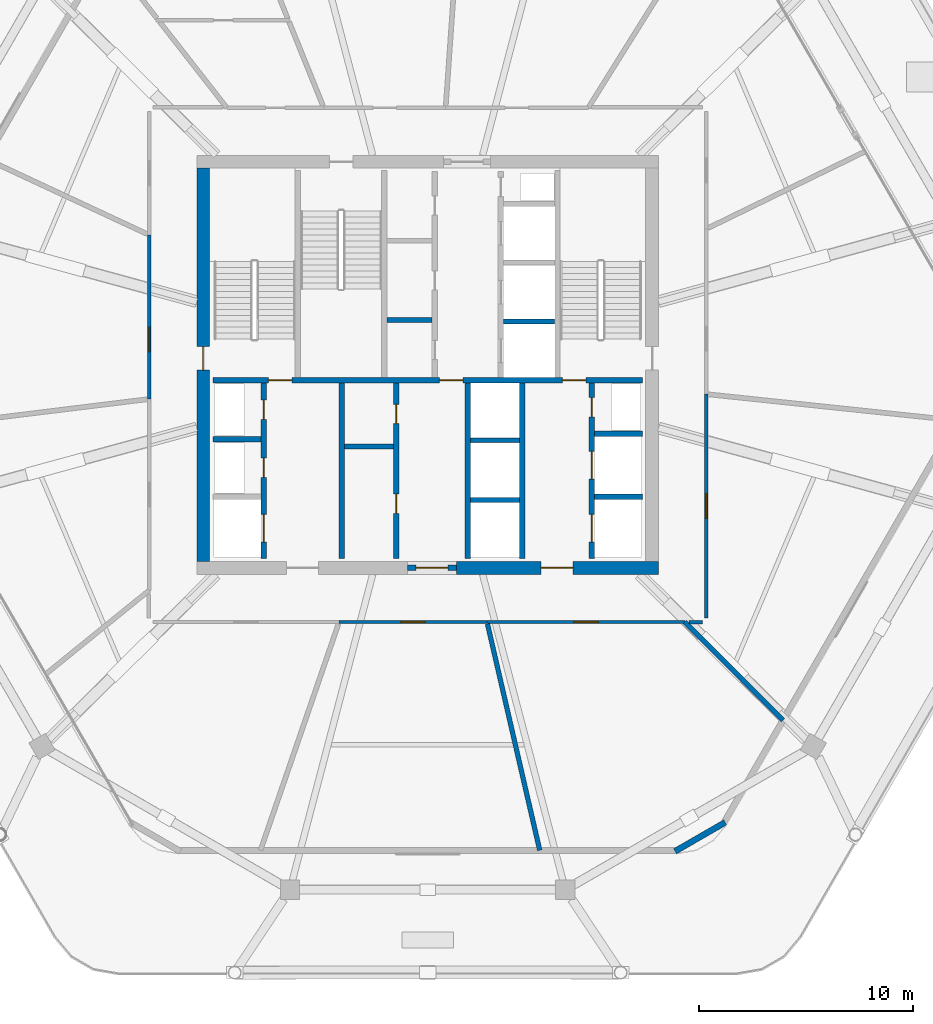
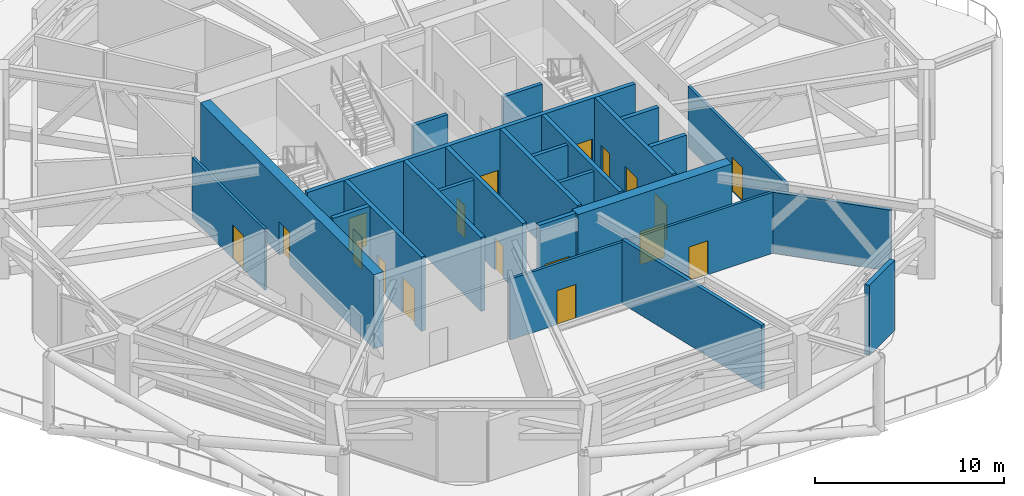
# One storey, part 13 of 20: 26 walls, 18 doors, 18 openings.
"""IFC4 building model written with IfcOpenShell, lengths in metres."""

from ifc_helpers import new_model, si_unit, direction, frame, frame_2d, origin, place, context, subcontext, project, spatial, rectangle, extrude, material, layer, layer_set, type_object, element, fill, save


model = new_model("IFC4")

# Units and contexts
model_context = context("Model", 3, precision=1e-05, world=origin(), true_north=direction((0.0, 1.0)))
body_context = subcontext(model_context, "Body", "Model", "MODEL_VIEW")
ifc_project = project(units=[si_unit("LENGTHUNIT", "METRE"), si_unit("AREAUNIT", "SQUARE_METRE"), si_unit("VOLUMEUNIT", "CUBIC_METRE"), si_unit("PLANEANGLEUNIT", "RADIAN"), si_unit("MASSUNIT", "GRAM", prefix="KILO")], contexts=[model_context])

# Site, building, storey
site_placement = place(None, origin())
site = spatial("IfcSite", under=ifc_project, at=site_placement, CompositionType="ELEMENT")
building_placement = place(site_placement, origin())
building = spatial("IfcBuilding", under=site, at=building_placement, Name="Zuhravey Tower", CompositionType="ELEMENT")
storey_placement = place(building_placement, frame((0.0, 0.0, 226.39990234375)))
storey = spatial("IfcBuildingStorey", under=building, at=storey_placement, Name="L57", CompositionType="ELEMENT", Elevation=226.39990234375)

# Wall, opening, door
ifc_material_1 = material(Name="Concrete C50/60", Category="concrete")
ifc_layer_1 = layer(ifc_material_1, 0.60009765625)
ifc_layer_set_1 = layer_set([ifc_layer_1], Name="Concrete C50/60")
wall_type_1 = type_object("IfcWallType", Name="Core Shear Wall 600", PredefinedType="SHEAR", material=ifc_layer_set_1)
wall_1_placement = place(storey_placement, frame((37.35009765625, 22.5, 0.0), z_axis=(0.0, 0.0, 1.0), x_axis=(1.0, 0.0, 0.0)))
wall_1 = element("IfcWall", 1, at=wall_1_placement, inside=storey, type_object=wall_type_1, Name="L57 South-East Core Shear Wall CW60", PredefinedType="SHEAR", context=body_context, shape_type="SweptSolid", body=[
    extrude(rectangle(XDim=9.449951171875, YDim=0.60009765625, at=frame_2d((4.72509765625, 0.0))), origin(), (0.0, 0.0, 1.0), 4.800048828125),
])
opening_1_placement = place(wall_1_placement, frame((3.949951171875, 0.0, 0.0)))
opening_1 = element("IfcOpeningElement", 2, at=opening_1_placement, cuts=wall_1, Name="Opening FFD1", PredefinedType="OPENING", context=body_context, shape_type="SweptSolid", body=[
    extrude(rectangle(XDim=1.5, YDim=2.14990234375, at=frame_2d((0.75, 1.074951171875))), frame((0.0, 0.31201171875, 0.0), z_axis=(0.0, -1.0, 0.0), x_axis=(1.0, 0.0, 0.0)), (0.0, 0.0, 1.0), 0.6240234375),
])
ifc_material_2 = material(Name="Galvanised fire-rated steel leaf", Category="steel")
door_type_1 = type_object("IfcDoorType", Name="Firefighting Lobby Double Door 1500x2150", OperationType="DOUBLE_DOOR_SINGLE_SWING", PredefinedType="DOOR", material=ifc_material_2)
door_1_placement = place(opening_1_placement, origin())
door_1 = element("IfcDoor", 3, at=door_1_placement, inside=storey, type_object=door_type_1, Name="L57 Firefighting Lobby East Door", OperationType="DOUBLE_DOOR_SINGLE_SWING", OverallHeight=2.14990234375, OverallWidth=1.5, PredefinedType="DOOR", context=body_context, shape_type="SweptSolid", body=[
    extrude(rectangle(XDim=1.5, YDim=2.14990234375, at=frame_2d((0.75, 1.074951171875))), frame((0.0, 0.02490234375, 0.0), z_axis=(0.0, -1.0, 0.0), x_axis=(1.0, 0.0, 0.0)), (0.0, 0.0, 1.0), 0.050048828125),
])
fill(opening_1, door_1)

wall_2_placement = place(storey_placement, frame((25.5, 22.800048828125, 0.0), z_axis=(0.0, 0.0, 1.0), x_axis=(0.0, 1.0, 0.0)))
wall_2 = element("IfcWall", 4, at=wall_2_placement, inside=storey, type_object=wall_type_1, Name="L57 West Core Shear Wall CW60", PredefinedType="SHEAR", context=body_context, shape_type="SweptSolid", body=[
    extrude(rectangle(XDim=18.39990234375, YDim=0.60009765625, at=frame_2d((9.199951171875, 0.0))), origin(), (0.0, 0.0, 1.0), 4.800048828125),
])
opening_2_placement = place(wall_2_placement, frame((8.949951171875, 0.0, 0.0)))
opening_2 = element("IfcOpeningElement", 5, at=opening_2_placement, cuts=wall_2, Name="Opening STD1", PredefinedType="OPENING", context=body_context, shape_type="SweptSolid", body=[
    extrude(rectangle(XDim=1.10009765625, YDim=2.14990234375, at=frame_2d((0.550048828125, 1.074951171875))), frame((0.0, 0.31201171875, 0.0), z_axis=(0.0, -1.0, 0.0), x_axis=(1.0, 0.0, 0.0)), (0.0, 0.0, 1.0), 0.6240234375),
])
door_type_2 = type_object("IfcDoorType", Name="Protected Stair Fire Door 1100x2150", OperationType="NOTDEFINED", PredefinedType="USERDEFINED", material=ifc_material_2)
door_2_placement = place(opening_2_placement, frame((1.10009765625, 0.0, 0.0), z_axis=(0.0, 0.0, 1.0), x_axis=(-1.0, 0.0, 0.0)))
door_2 = element("IfcDoor", 6, at=door_2_placement, inside=storey, type_object=door_type_2, Name="L57 Stair ST1 Door", ObjectType="EXITDOOR", OperationType="SINGLE_SWING_LEFT", OverallHeight=2.14990234375, OverallWidth=1.10009765625, PredefinedType="USERDEFINED", context=body_context, shape_type="SweptSolid", body=[
    extrude(rectangle(XDim=1.10009765625, YDim=2.14990234375, at=frame_2d((0.550048828125, 1.074951171875))), frame((0.0, 0.02490234375, 0.0), z_axis=(0.0, -1.0, 0.0), x_axis=(1.0, 0.0, 0.0)), (0.0, 0.0, 1.0), 0.050048828125),
])
fill(opening_2, door_2)

ifc_material_3 = material(Name="Gypsum fire-rated stud partition")
ifc_layer_2 = layer(ifc_material_3, 0.159912109375)
ifc_layer_set_2 = layer_set([ifc_layer_2], Name="Gypsum fire-rated stud partition")
wall_type_2 = type_object("IfcWallType", Name="Corridor Fire Partition 160", PredefinedType="PARTITIONING", material=ifc_layer_set_2)
wall_3_placement = place(storey_placement, frame((22.969970703125, 38.075927734375, 0.0), z_axis=(0.0, 0.0, 1.0), x_axis=(0.0, -1.0, 0.0)))
wall_3 = element("IfcWall", 7, at=wall_3_placement, inside=storey, type_object=wall_type_2, Name="L57 IW16 Partition 024", PredefinedType="PARTITIONING", context=body_context, shape_type="SweptSolid", body=[
    extrude(rectangle(XDim=7.67578125, YDim=0.159912109375, at=frame_2d((3.837890625, 0.0))), origin(), (0.0, 0.0, 1.0), 3.9501953125),
])
opening_3_placement = place(wall_3_placement, frame((4.306640625, 0.0, 0.0)))
opening_3 = element("IfcOpeningElement", 8, at=opening_3_placement, cuts=wall_3, Name="Opening CLD1", PredefinedType="OPENING", context=body_context, shape_type="SweptSolid", body=[
    extrude(rectangle(XDim=1.14990234375, YDim=2.199951171875, at=frame_2d((0.574951171875, 1.10009765625))), frame((0.0, 0.092041015625, 0.0), z_axis=(0.0, -1.0, 0.0), x_axis=(1.0, 0.0, 0.0)), (0.0, 0.0, 1.0), 0.183837890625),
])
ifc_material_4 = material(Name="Acoustic timber leaf with vision lite", Category="wood")
door_type_3 = type_object("IfcDoorType", Name="Classroom Acoustic Door 1150x2200", OperationType="NOTDEFINED", PredefinedType="DOOR", material=ifc_material_4)
door_3_placement = place(opening_3_placement, frame((1.14990234375, 0.0, 0.0), z_axis=(0.0, 0.0, 1.0), x_axis=(-1.0, 0.0, 0.0)))
door_3 = element("IfcDoor", 9, at=door_3_placement, inside=storey, type_object=door_type_3, Name="L57 Door 024.1", OperationType="SINGLE_SWING_LEFT", OverallHeight=2.199951171875, OverallWidth=1.14990234375, PredefinedType="DOOR", context=body_context, shape_type="SweptSolid", body=[
    extrude(rectangle(XDim=1.14990234375, YDim=2.199951171875, at=frame_2d((0.574951171875, 1.10009765625))), frame((0.0, 0.02490234375, 0.0), z_axis=(0.0, -1.0, 0.0), x_axis=(1.0, 0.0, 0.0)), (0.0, 0.0, 1.0), 0.050048828125),
])
fill(opening_3, door_3)

wall_4_placement = place(storey_placement, frame((31.857666015625, 19.969970703125, 0.0), z_axis=(0.0, 0.0, 1.0), x_axis=(1.0, 0.0, 0.0)))
wall_4 = element("IfcWall", 10, at=wall_4_placement, inside=storey, type_object=wall_type_2, Name="L57 IW16 Partition 027", PredefinedType="PARTITIONING", context=body_context, shape_type="SweptSolid", body=[
    extrude(rectangle(XDim=6.919677734375, YDim=0.159912109375, at=frame_2d((3.4599609375, 0.0))), origin(), (0.0, 0.0, 1.0), 3.9501953125),
])
opening_4_placement = place(wall_4_placement, frame((2.884765625, 0.0, 0.0)))
opening_4 = element("IfcOpeningElement", 11, at=opening_4_placement, cuts=wall_4, Name="Opening CLD1", PredefinedType="OPENING", context=body_context, shape_type="SweptSolid", body=[
    extrude(rectangle(XDim=1.14990234375, YDim=2.199951171875, at=frame_2d((0.574951171875, 1.10009765625))), frame((0.0, 0.092041015625, 0.0), z_axis=(0.0, -1.0, 0.0), x_axis=(1.0, 0.0, 0.0)), (0.0, 0.0, 1.0), 0.183837890625),
])
door_4_placement = place(opening_4_placement, frame((1.14990234375, 0.0, 0.0), z_axis=(0.0, 0.0, 1.0), x_axis=(-1.0, 0.0, 0.0)))
door_4 = element("IfcDoor", 12, at=door_4_placement, inside=storey, type_object=door_type_3, Name="L57 Door 027.1", OperationType="SINGLE_SWING_RIGHT", OverallHeight=2.199951171875, OverallWidth=1.14990234375, PredefinedType="DOOR", context=body_context, shape_type="SweptSolid", body=[
    extrude(rectangle(XDim=1.14990234375, YDim=2.199951171875, at=frame_2d((0.574951171875, 1.10009765625))), frame((0.0, 0.02490234375, 0.0), z_axis=(0.0, -1.0, 0.0), x_axis=(1.0, 0.0, 0.0)), (0.0, 0.0, 1.0), 0.050048828125),
])
fill(opening_4, door_4)

wall_5_placement = place(storey_placement, frame((38.77734375, 19.969970703125, 0.0), z_axis=(0.0, 0.0, 1.0), x_axis=(1.0, 0.0, 0.0)))
wall_5 = element("IfcWall", 13, at=wall_5_placement, inside=storey, type_object=wall_type_2, Name="L57 IW16 Partition 028", PredefinedType="PARTITIONING", context=body_context, shape_type="SweptSolid", body=[
    extrude(rectangle(XDim=9.252685546875, YDim=0.159912109375, at=frame_2d((4.62646484375, 0.0))), origin(), (0.0, 0.0, 1.0), 3.9501953125),
])
opening_5_placement = place(wall_5_placement, frame((4.051513671875, 0.0, 0.0)))
opening_5 = element("IfcOpeningElement", 14, at=opening_5_placement, cuts=wall_5, Name="Opening CLD1", PredefinedType="OPENING", context=body_context, shape_type="SweptSolid", body=[
    extrude(rectangle(XDim=1.14990234375, YDim=2.199951171875, at=frame_2d((0.574951171875, 1.10009765625))), frame((0.0, 0.092041015625, 0.0), z_axis=(0.0, -1.0, 0.0), x_axis=(1.0, 0.0, 0.0)), (0.0, 0.0, 1.0), 0.183837890625),
])
door_5_placement = place(opening_5_placement, frame((1.14990234375, 0.0, 0.0), z_axis=(0.0, 0.0, 1.0), x_axis=(-1.0, 0.0, 0.0)))
door_5 = element("IfcDoor", 15, at=door_5_placement, inside=storey, type_object=door_type_3, Name="L57 Door 028.1", OperationType="SINGLE_SWING_LEFT", OverallHeight=2.199951171875, OverallWidth=1.14990234375, PredefinedType="DOOR", context=body_context, shape_type="SweptSolid", body=[
    extrude(rectangle(XDim=1.14990234375, YDim=2.199951171875, at=frame_2d((0.574951171875, 1.10009765625))), frame((0.0, 0.02490234375, 0.0), z_axis=(0.0, -1.0, 0.0), x_axis=(1.0, 0.0, 0.0)), (0.0, 0.0, 1.0), 0.050048828125),
])
fill(opening_5, door_5)

wall_6_placement = place(storey_placement, frame((49.030029296875, 20.14990234375, 0.0), z_axis=(0.0, 0.0, 1.0), x_axis=(0.0, 1.0, 0.0)))
wall_6 = element("IfcWall", 16, at=wall_6_placement, inside=storey, type_object=wall_type_2, Name="L57 IW16 Partition 029", PredefinedType="PARTITIONING", context=body_context, shape_type="SweptSolid", body=[
    extrude(rectangle(XDim=10.480712890625, YDim=0.159912109375, at=frame_2d((5.240234375, 0.0))), origin(), (0.0, 0.0, 1.0), 3.9501953125),
])
opening_6_placement = place(wall_6_placement, frame((4.665283203125, 0.0, 0.0)))
opening_6 = element("IfcOpeningElement", 17, at=opening_6_placement, cuts=wall_6, Name="Opening CLD1", PredefinedType="OPENING", context=body_context, shape_type="SweptSolid", body=[
    extrude(rectangle(XDim=1.14990234375, YDim=2.199951171875, at=frame_2d((0.574951171875, 1.10009765625))), frame((0.0, 0.092041015625, 0.0), z_axis=(0.0, -1.0, 0.0), x_axis=(1.0, 0.0, 0.0)), (0.0, 0.0, 1.0), 0.183837890625),
])
door_6_placement = place(opening_6_placement, frame((1.14990234375, 0.0, 0.0), z_axis=(0.0, 0.0, 1.0), x_axis=(-1.0, 0.0, 0.0)))
door_6 = element("IfcDoor", 18, at=door_6_placement, inside=storey, type_object=door_type_3, Name="L57 Door 029.1", OperationType="SINGLE_SWING_RIGHT", OverallHeight=2.199951171875, OverallWidth=1.14990234375, PredefinedType="DOOR", context=body_context, shape_type="SweptSolid", body=[
    extrude(rectangle(XDim=1.14990234375, YDim=2.199951171875, at=frame_2d((0.574951171875, 1.10009765625))), frame((0.0, 0.02490234375, 0.0), z_axis=(0.0, -1.0, 0.0), x_axis=(1.0, 0.0, 0.0)), (0.0, 0.0, 1.0), 0.050048828125),
])
fill(opening_6, door_6)

# Walls
wall_7_placement = place(storey_placement, frame((48.216796875, 19.949951171875, 0.0), z_axis=(0.0, 0.0, 1.0), x_axis=(1.0, 0.0, 0.0)))
element("IfcWall", 19, at=wall_7_placement, inside=storey, type_object=wall_type_2, Name="L57 IW16 Partition 056", PredefinedType="PARTITIONING", context=body_context, shape_type="SweptSolid", body=[
    extrude(rectangle(XDim=0.63330078125, YDim=0.159912109375, at=frame_2d((0.316650390625, 0.0))), origin(), (0.0, 0.0, 1.0), 3.9501953125),
])
ifc_material_5 = material(Name="Precast concrete C40/50", Category="concrete")
ifc_layer_3 = layer(ifc_material_5, 0.280029296875)
ifc_layer_set_3 = layer_set([ifc_layer_3], Name="Precast concrete C40/50")
wall_type_3 = type_object("IfcWallType", Name="Crown Architectural Wall 280", PredefinedType="SOLIDWALL", material=ifc_layer_set_3)
wall_8_placement = place(storey_placement, frame((49.9248046875, 10.596435546875, 0.0), z_axis=(0.0, 0.0, 1.0), x_axis=(-0.866043331744, -0.499968946578, 0.0)))
element("IfcWall", 20, at=wall_8_placement, inside=storey, type_object=wall_type_3, Name="L57 Rounded Corner Closure Wall EW28-02", PredefinedType="SOLIDWALL", context=body_context, shape_type="SweptSolid", body=[
    extrude(rectangle(XDim=2.715087890625, YDim=0.280029296875, at=frame_2d((1.357421875, 0.0))), origin(), (0.0, 0.0, 1.0), 4.550048828125),
])

# Wall, opening, door
ifc_layer_4 = layer(ifc_material_1, 0.25)
ifc_layer_set_4 = layer_set([ifc_layer_4], Name="Concrete C50/60")
wall_type_4 = type_object("IfcWallType", Name="Firefighting Shaft & Stair Wall 250", PredefinedType="SOLIDWALL", material=ifc_layer_set_4)
wall_9_placement = place(storey_placement, frame((35.06005859375, 22.5, 0.0), z_axis=(0.0, 0.0, 1.0), x_axis=(1.0, 0.0, 0.0)))
wall_9 = element("IfcWall", 21, at=wall_9_placement, inside=storey, type_object=wall_type_4, Name="L57 FW25 Shaft Wall 001", PredefinedType="SOLIDWALL", context=body_context, shape_type="SweptSolid", body=[
    extrude(rectangle(XDim=2.280029296875, YDim=0.25, at=frame_2d((1.14013671875, 0.0))), origin(), (0.0, 0.0, 1.0), 4.800048828125),
])
opening_7_placement = place(wall_9_placement, frame((0.389892578125, 0.0, 0.0)))
opening_7 = element("IfcOpeningElement", 22, at=opening_7_placement, cuts=wall_9, Name="Opening FFD1", PredefinedType="OPENING", context=body_context, shape_type="SweptSolid", body=[
    extrude(rectangle(XDim=1.5, YDim=2.14990234375, at=frame_2d((0.75, 1.074951171875))), frame((0.0, 0.136962890625, 0.0), z_axis=(0.0, -1.0, 0.0), x_axis=(1.0, 0.0, 0.0)), (0.0, 0.0, 1.0), 0.27392578125),
])
door_7_placement = place(opening_7_placement, frame((1.5, 0.0, 0.0), z_axis=(0.0, 0.0, 1.0), x_axis=(-1.0, 0.0, 0.0)))
door_7 = element("IfcDoor", 23, at=door_7_placement, inside=storey, type_object=door_type_1, Name="L57 South Lift Lobby Exit Door", OperationType="DOUBLE_DOOR_SINGLE_SWING", OverallHeight=2.14990234375, OverallWidth=1.5, PredefinedType="DOOR", context=body_context, shape_type="SweptSolid", body=[
    extrude(rectangle(XDim=1.5, YDim=2.14990234375, at=frame_2d((0.75, 1.074951171875))), frame((0.0, 0.02490234375, 0.0), z_axis=(0.0, -1.0, 0.0), x_axis=(1.0, 0.0, 0.0)), (0.0, 0.0, 1.0), 0.050048828125),
])
fill(opening_7, door_7)

# Wall, openings, doors
wall_10_placement = place(storey_placement, frame((25.949951171875, 31.27490234375, 0.0), z_axis=(0.0, 0.0, 1.0), x_axis=(1.0, 0.0, 0.0)))
wall_10 = element("IfcWall", 24, at=wall_10_placement, inside=storey, type_object=wall_type_4, Name="L57 FW25 Shaft Wall 003", PredefinedType="SOLIDWALL", context=body_context, shape_type="SweptSolid", body=[
    extrude(rectangle(XDim=20.10009765625, YDim=0.25, at=frame_2d((10.050048828125, 0.0))), origin(), (0.0, 0.0, 1.0), 4.800048828125),
])
opening_8_placement = place(wall_10_placement, frame((2.60009765625, 0.0, 0.0)))
opening_8 = element("IfcOpeningElement", 25, at=opening_8_placement, cuts=wall_10, Name="Opening STD1", PredefinedType="OPENING", context=body_context, shape_type="SweptSolid", body=[
    extrude(rectangle(XDim=1.10009765625, YDim=2.14990234375, at=frame_2d((0.550048828125, 1.074951171875))), frame((0.0, 0.136962890625, 0.0), z_axis=(0.0, -1.0, 0.0), x_axis=(1.0, 0.0, 0.0)), (0.0, 0.0, 1.0), 0.27392578125),
])
opening_9_placement = place(wall_10_placement, frame((10.60009765625, 0.0, 0.0)))
opening_9 = element("IfcOpeningElement", 26, at=opening_9_placement, cuts=wall_10, Name="Opening STD1", PredefinedType="OPENING", context=body_context, shape_type="SweptSolid", body=[
    extrude(rectangle(XDim=1.10009765625, YDim=2.14990234375, at=frame_2d((0.550048828125, 1.074951171875))), frame((0.0, 0.136962890625, 0.0), z_axis=(0.0, -1.0, 0.0), x_axis=(1.0, 0.0, 0.0)), (0.0, 0.0, 1.0), 0.27392578125),
])
opening_10_placement = place(wall_10_placement, frame((16.35009765625, 0.0, 0.0)))
opening_10 = element("IfcOpeningElement", 27, at=opening_10_placement, cuts=wall_10, Name="Opening STD1", PredefinedType="OPENING", context=body_context, shape_type="SweptSolid", body=[
    extrude(rectangle(XDim=1.10009765625, YDim=2.14990234375, at=frame_2d((0.550048828125, 1.074951171875))), frame((0.0, 0.136962890625, 0.0), z_axis=(0.0, -1.0, 0.0), x_axis=(1.0, 0.0, 0.0)), (0.0, 0.0, 1.0), 0.27392578125),
])
door_8_placement = place(opening_8_placement, origin())
door_8 = element("IfcDoor", 28, at=door_8_placement, inside=storey, type_object=door_type_2, Name="L57 FFL-W to ST1 Door", ObjectType="EXITDOOR", OperationType="SINGLE_SWING_RIGHT", OverallHeight=2.14990234375, OverallWidth=1.10009765625, PredefinedType="USERDEFINED", context=body_context, shape_type="SweptSolid", body=[
    extrude(rectangle(XDim=1.10009765625, YDim=2.14990234375, at=frame_2d((0.550048828125, 1.074951171875))), frame((0.0, 0.02490234375, 0.0), z_axis=(0.0, -1.0, 0.0), x_axis=(1.0, 0.0, 0.0)), (0.0, 0.0, 1.0), 0.050048828125),
])
fill(opening_8, door_8)
door_9_placement = place(opening_9_placement, origin())
door_9 = element("IfcDoor", 29, at=door_9_placement, inside=storey, type_object=door_type_2, Name="L57 Core Lobby Link Door", ObjectType="EXITDOOR", OperationType="SINGLE_SWING_LEFT", OverallHeight=2.14990234375, OverallWidth=1.10009765625, PredefinedType="USERDEFINED", context=body_context, shape_type="SweptSolid", body=[
    extrude(rectangle(XDim=1.10009765625, YDim=2.14990234375, at=frame_2d((0.550048828125, 1.074951171875))), frame((0.0, 0.02490234375, 0.0), z_axis=(0.0, -1.0, 0.0), x_axis=(1.0, 0.0, 0.0)), (0.0, 0.0, 1.0), 0.050048828125),
])
fill(opening_9, door_9)
door_10_placement = place(opening_10_placement, origin())
door_10 = element("IfcDoor", 30, at=door_10_placement, inside=storey, type_object=door_type_2, Name="L57 FFL-E to ST2 Door", ObjectType="EXITDOOR", OperationType="SINGLE_SWING_RIGHT", OverallHeight=2.14990234375, OverallWidth=1.10009765625, PredefinedType="USERDEFINED", context=body_context, shape_type="SweptSolid", body=[
    extrude(rectangle(XDim=1.10009765625, YDim=2.14990234375, at=frame_2d((0.550048828125, 1.074951171875))), frame((0.0, 0.02490234375, 0.0), z_axis=(0.0, -1.0, 0.0), x_axis=(1.0, 0.0, 0.0)), (0.0, 0.0, 1.0), 0.050048828125),
])
fill(opening_10, door_10)

# Wall
wall_11_placement = place(storey_placement, frame((25.949951171875, 28.52490234375, 0.0), z_axis=(0.0, 0.0, 1.0), x_axis=(1.0, 0.0, 0.0)))
element("IfcWall", 31, at=wall_11_placement, inside=storey, type_object=wall_type_4, Name="L57 FW25 Shaft Wall 010", PredefinedType="SOLIDWALL", context=body_context, shape_type="SweptSolid", body=[
    extrude(rectangle(XDim=2.25, YDim=0.25, at=frame_2d((1.125, 0.0))), origin(), (0.0, 0.0, 1.0), 4.800048828125),
])

# Wall, openings, doors
wall_12_placement = place(storey_placement, frame((28.324951171875, 22.949951171875, 0.0), z_axis=(0.0, 0.0, 1.0), x_axis=(0.0, 1.0, 0.0)))
wall_12 = element("IfcWall", 32, at=wall_12_placement, inside=storey, type_object=wall_type_4, Name="L57 FW25 Shaft Wall 011", PredefinedType="SOLIDWALL", context=body_context, shape_type="SweptSolid", body=[
    extrude(rectangle(XDim=8.199951171875, YDim=0.25, at=frame_2d((4.10009765625, 0.0))), origin(), (0.0, 0.0, 1.0), 4.800048828125),
])
opening_11_placement = place(wall_12_placement, frame((0.75, 0.0, 0.0)))
opening_11 = element("IfcOpeningElement", 33, at=opening_11_placement, cuts=wall_12, Name="Opening LD2", PredefinedType="OPENING", context=body_context, shape_type="SweptSolid", body=[
    extrude(rectangle(XDim=1.300048828125, YDim=2.300048828125, at=frame_2d((0.64990234375, 1.14990234375))), frame((0.0, 0.136962890625, 0.0), z_axis=(0.0, -1.0, 0.0), x_axis=(1.0, 0.0, 0.0)), (0.0, 0.0, 1.0), 0.27392578125),
])
opening_12_placement = place(wall_12_placement, frame((3.780029296875, 0.0, 0.0)))
opening_12 = element("IfcOpeningElement", 34, at=opening_12_placement, cuts=wall_12, Name="Opening RSD1", PredefinedType="OPENING", context=body_context, shape_type="SweptSolid", body=[
    extrude(rectangle(XDim=0.89990234375, YDim=2.10009765625, at=frame_2d((0.449951171875, 1.050048828125))), frame((0.0, 0.136962890625, 0.0), z_axis=(0.0, -1.0, 0.0), x_axis=(1.0, 0.0, 0.0)), (0.0, 0.0, 1.0), 0.27392578125),
])
opening_13_placement = place(wall_12_placement, frame((6.5, 0.0, 0.0)))
opening_13 = element("IfcOpeningElement", 35, at=opening_13_placement, cuts=wall_12, Name="Opening RSD1", PredefinedType="OPENING", context=body_context, shape_type="SweptSolid", body=[
    extrude(rectangle(XDim=0.89990234375, YDim=2.10009765625, at=frame_2d((0.449951171875, 1.050048828125))), frame((0.0, 0.136962890625, 0.0), z_axis=(0.0, -1.0, 0.0), x_axis=(1.0, 0.0, 0.0)), (0.0, 0.0, 1.0), 0.27392578125),
])
ifc_material_6 = material(Name="Brushed stainless steel", Category="steel")
door_type_4 = type_object("IfcDoorType", Name="Freight & Stretcher Lift Sliding Door 1300x2300", OperationType="DOUBLE_DOOR_SLIDING", PredefinedType="DOOR", material=ifc_material_6)
door_11_placement = place(opening_11_placement, frame((1.300048828125, 0.0, 0.0), z_axis=(0.0, 0.0, 1.0), x_axis=(-1.0, 0.0, 0.0)))
door_11 = element("IfcDoor", 36, at=door_11_placement, inside=storey, type_object=door_type_4, Name="L57 Lift FF1 Landing Door", OperationType="DOUBLE_DOOR_SLIDING", OverallHeight=2.300048828125, OverallWidth=1.300048828125, PredefinedType="DOOR", context=body_context, shape_type="SweptSolid", body=[
    extrude(rectangle(XDim=1.300048828125, YDim=2.300048828125, at=frame_2d((0.64990234375, 1.14990234375))), frame((0.0, 0.02490234375, 0.0), z_axis=(0.0, -1.0, 0.0), x_axis=(1.0, 0.0, 0.0)), (0.0, 0.0, 1.0), 0.050048828125),
])
fill(opening_11, door_11)
ifc_material_7 = material(Name="Galvanised fire-rated steel access leaf", Category="steel")
door_type_5 = type_object("IfcDoorType", Name="Riser & Shaft Access Fire Door 900x2100", OperationType="NOTDEFINED", PredefinedType="DOOR", material=ifc_material_7)
door_12_placement = place(opening_12_placement, frame((0.89990234375, 0.0, 0.0), z_axis=(0.0, 0.0, 1.0), x_axis=(-1.0, 0.0, 0.0)))
door_12 = element("IfcDoor", 37, at=door_12_placement, inside=storey, type_object=door_type_5, Name="L57 Electrical Riser Door", OperationType="SINGLE_SWING_LEFT", OverallHeight=2.10009765625, OverallWidth=0.89990234375, PredefinedType="DOOR", context=body_context, shape_type="SweptSolid", body=[
    extrude(rectangle(XDim=0.89990234375, YDim=2.10009765625, at=frame_2d((0.449951171875, 1.050048828125))), frame((0.0, 0.02490234375, 0.0), z_axis=(0.0, -1.0, 0.0), x_axis=(1.0, 0.0, 0.0)), (0.0, 0.0, 1.0), 0.050048828125),
])
fill(opening_12, door_12)
door_13_placement = place(opening_13_placement, frame((0.89990234375, 0.0, 0.0), z_axis=(0.0, 0.0, 1.0), x_axis=(-1.0, 0.0, 0.0)))
door_13 = element("IfcDoor", 38, at=door_13_placement, inside=storey, type_object=door_type_5, Name="L57 Smoke Shaft Access Door", OperationType="SINGLE_SWING_RIGHT", OverallHeight=2.10009765625, OverallWidth=0.89990234375, PredefinedType="DOOR", context=body_context, shape_type="SweptSolid", body=[
    extrude(rectangle(XDim=0.89990234375, YDim=2.10009765625, at=frame_2d((0.449951171875, 1.050048828125))), frame((0.0, 0.02490234375, 0.0), z_axis=(0.0, -1.0, 0.0), x_axis=(1.0, 0.0, 0.0)), (0.0, 0.0, 1.0), 0.050048828125),
])
fill(opening_13, door_13)

# Wall
wall_13_placement = place(storey_placement, frame((31.97509765625, 22.949951171875, 0.0), z_axis=(0.0, 0.0, 1.0), x_axis=(0.0, 1.0, 0.0)))
element("IfcWall", 39, at=wall_13_placement, inside=storey, type_object=wall_type_4, Name="L57 FW25 Shaft Wall 012", PredefinedType="SOLIDWALL", context=body_context, shape_type="SweptSolid", body=[
    extrude(rectangle(XDim=8.199951171875, YDim=0.25, at=frame_2d((4.10009765625, 0.0))), origin(), (0.0, 0.0, 1.0), 4.800048828125),
])

# Wall, openings, doors
wall_14_placement = place(storey_placement, frame((34.52490234375, 22.949951171875, 0.0), z_axis=(0.0, 0.0, 1.0), x_axis=(0.0, 1.0, 0.0)))
wall_14 = element("IfcWall", 40, at=wall_14_placement, inside=storey, type_object=wall_type_4, Name="L57 FW25 Shaft Wall 013", PredefinedType="SOLIDWALL", context=body_context, shape_type="SweptSolid", body=[
    extrude(rectangle(XDim=8.199951171875, YDim=0.25, at=frame_2d((4.10009765625, 0.0))), origin(), (0.0, 0.0, 1.0), 4.800048828125),
])
opening_14_placement = place(wall_14_placement, frame((2.10009765625, 0.0, 0.0)))
opening_14 = element("IfcOpeningElement", 41, at=opening_14_placement, cuts=wall_14, Name="Opening RSD1", PredefinedType="OPENING", context=body_context, shape_type="SweptSolid", body=[
    extrude(rectangle(XDim=0.89990234375, YDim=2.10009765625, at=frame_2d((0.449951171875, 1.050048828125))), frame((0.0, 0.136962890625, 0.0), z_axis=(0.0, -1.0, 0.0), x_axis=(1.0, 0.0, 0.0)), (0.0, 0.0, 1.0), 0.27392578125),
])
opening_15_placement = place(wall_14_placement, frame((6.300048828125, 0.0, 0.0)))
opening_15 = element("IfcOpeningElement", 42, at=opening_15_placement, cuts=wall_14, Name="Opening RSD1", PredefinedType="OPENING", context=body_context, shape_type="SweptSolid", body=[
    extrude(rectangle(XDim=0.89990234375, YDim=2.10009765625, at=frame_2d((0.449951171875, 1.050048828125))), frame((0.0, 0.136962890625, 0.0), z_axis=(0.0, -1.0, 0.0), x_axis=(1.0, 0.0, 0.0)), (0.0, 0.0, 1.0), 0.27392578125),
])
door_14_placement = place(opening_14_placement, origin())
door_14 = element("IfcDoor", 43, at=door_14_placement, inside=storey, type_object=door_type_5, Name="L57 Housekeeping Store Door", OperationType="SINGLE_SWING_LEFT", OverallHeight=2.10009765625, OverallWidth=0.89990234375, PredefinedType="DOOR", context=body_context, shape_type="SweptSolid", body=[
    extrude(rectangle(XDim=0.89990234375, YDim=2.10009765625, at=frame_2d((0.449951171875, 1.050048828125))), frame((0.0, 0.02490234375, 0.0), z_axis=(0.0, -1.0, 0.0), x_axis=(1.0, 0.0, 0.0)), (0.0, 0.0, 1.0), 0.050048828125),
])
fill(opening_14, door_14)
door_15_placement = place(opening_15_placement, origin())
door_15 = element("IfcDoor", 44, at=door_15_placement, inside=storey, type_object=door_type_5, Name="L57 Comms Closet Door", OperationType="SINGLE_SWING_RIGHT", OverallHeight=2.10009765625, OverallWidth=0.89990234375, PredefinedType="DOOR", context=body_context, shape_type="SweptSolid", body=[
    extrude(rectangle(XDim=0.89990234375, YDim=2.10009765625, at=frame_2d((0.449951171875, 1.050048828125))), frame((0.0, 0.02490234375, 0.0), z_axis=(0.0, -1.0, 0.0), x_axis=(1.0, 0.0, 0.0)), (0.0, 0.0, 1.0), 0.050048828125),
])
fill(opening_15, door_15)

# Walls
for number, where, z_axis, x_axis, name in (
    (45, (37.875, 22.949951171875, 0.0), (0.0, 0.0, 1.0), (0.0, 1.0, 0.0), "L57 FW25 Shaft Wall 014"),
    (46, (40.425048828125, 22.949951171875, 0.0), (0.0, 0.0, 1.0), (0.0, 1.0, 0.0), "L57 FW25 Shaft Wall 015"),
):
    element("IfcWall", number, at=place(storey_placement, frame(where, z_axis=z_axis, x_axis=x_axis)), inside=storey, type_object=wall_type_4, Name=name, PredefinedType="SOLIDWALL", context=body_context, shape_type="SweptSolid", body=[
        extrude(rectangle(XDim=8.199951171875, YDim=0.25, at=frame_2d((4.10009765625, 0.0))), origin(), (0.0, 0.0, 1.0), 4.800048828125),
    ])
for number, where, z_axis, x_axis, name in (
    (47, (43.800048828125, 25.824951171875, 0.0), (0.0, 0.0, 1.0), (1.0, 0.0, 0.0), "L57 FW25 Shaft Wall 016"),
    (48, (43.800048828125, 28.77490234375, 0.0), (0.0, 0.0, 1.0), (1.0, 0.0, 0.0), "L57 FW25 Shaft Wall 017"),
):
    element("IfcWall", number, at=place(storey_placement, frame(where, z_axis=z_axis, x_axis=x_axis)), inside=storey, type_object=wall_type_4, Name=name, PredefinedType="SOLIDWALL", context=body_context, shape_type="SweptSolid", body=[
        extrude(rectangle(XDim=2.25, YDim=0.25, at=frame_2d((1.125, 0.0))), origin(), (0.0, 0.0, 1.0), 4.800048828125),
    ])

# Wall, openings, doors
wall_15_placement = place(storey_placement, frame((43.675048828125, 22.949951171875, 0.0), z_axis=(0.0, 0.0, 1.0), x_axis=(0.0, 1.0, 0.0)))
wall_15 = element("IfcWall", 49, at=wall_15_placement, inside=storey, type_object=wall_type_4, Name="L57 FW25 Shaft Wall 018", PredefinedType="SOLIDWALL", context=body_context, shape_type="SweptSolid", body=[
    extrude(rectangle(XDim=8.199951171875, YDim=0.25, at=frame_2d((4.10009765625, 0.0))), origin(), (0.0, 0.0, 1.0), 4.800048828125),
])
opening_16_placement = place(wall_15_placement, frame((0.75, 0.0, 0.0)))
opening_16 = element("IfcOpeningElement", 50, at=opening_16_placement, cuts=wall_15, Name="Opening LD2", PredefinedType="OPENING", context=body_context, shape_type="SweptSolid", body=[
    extrude(rectangle(XDim=1.300048828125, YDim=2.300048828125, at=frame_2d((0.64990234375, 1.14990234375))), frame((0.0, 0.136962890625, 0.0), z_axis=(0.0, -1.0, 0.0), x_axis=(1.0, 0.0, 0.0)), (0.0, 0.0, 1.0), 0.27392578125),
])
opening_17_placement = place(wall_15_placement, frame((3.699951171875, 0.0, 0.0)))
opening_17 = element("IfcOpeningElement", 51, at=opening_17_placement, cuts=wall_15, Name="Opening LD2", PredefinedType="OPENING", context=body_context, shape_type="SweptSolid", body=[
    extrude(rectangle(XDim=1.300048828125, YDim=2.300048828125, at=frame_2d((0.64990234375, 1.14990234375))), frame((0.0, 0.136962890625, 0.0), z_axis=(0.0, -1.0, 0.0), x_axis=(1.0, 0.0, 0.0)), (0.0, 0.0, 1.0), 0.27392578125),
])
opening_18_placement = place(wall_15_placement, frame((6.6201171875, 0.0, 0.0)))
opening_18 = element("IfcOpeningElement", 52, at=opening_18_placement, cuts=wall_15, Name="Opening RSD1", PredefinedType="OPENING", context=body_context, shape_type="SweptSolid", body=[
    extrude(rectangle(XDim=0.89990234375, YDim=2.10009765625, at=frame_2d((0.449951171875, 1.050048828125))), frame((0.0, 0.136962890625, 0.0), z_axis=(0.0, -1.0, 0.0), x_axis=(1.0, 0.0, 0.0)), (0.0, 0.0, 1.0), 0.27392578125),
])
door_16_placement = place(opening_16_placement, origin())
door_16 = element("IfcDoor", 53, at=door_16_placement, inside=storey, type_object=door_type_4, Name="L57 Lift FF2 Landing Door", OperationType="DOUBLE_DOOR_SLIDING", OverallHeight=2.300048828125, OverallWidth=1.300048828125, PredefinedType="DOOR", context=body_context, shape_type="SweptSolid", body=[
    extrude(rectangle(XDim=1.300048828125, YDim=2.300048828125, at=frame_2d((0.64990234375, 1.14990234375))), frame((0.0, 0.02490234375, 0.0), z_axis=(0.0, -1.0, 0.0), x_axis=(1.0, 0.0, 0.0)), (0.0, 0.0, 1.0), 0.050048828125),
])
fill(opening_16, door_16)
door_17_placement = place(opening_17_placement, origin())
door_17 = element("IfcDoor", 54, at=door_17_placement, inside=storey, type_object=door_type_4, Name="L57 Lift SV1 Landing Door", OperationType="DOUBLE_DOOR_SLIDING", OverallHeight=2.300048828125, OverallWidth=1.300048828125, PredefinedType="DOOR", context=body_context, shape_type="SweptSolid", body=[
    extrude(rectangle(XDim=1.300048828125, YDim=2.300048828125, at=frame_2d((0.64990234375, 1.14990234375))), frame((0.0, 0.02490234375, 0.0), z_axis=(0.0, -1.0, 0.0), x_axis=(1.0, 0.0, 0.0)), (0.0, 0.0, 1.0), 0.050048828125),
])
fill(opening_17, door_17)
door_18_placement = place(opening_18_placement, origin())
door_18 = element("IfcDoor", 55, at=door_18_placement, inside=storey, type_object=door_type_5, Name="L57 Plumbing Riser Door", OperationType="SINGLE_SWING_LEFT", OverallHeight=2.10009765625, OverallWidth=0.89990234375, PredefinedType="DOOR", context=body_context, shape_type="SweptSolid", body=[
    extrude(rectangle(XDim=0.89990234375, YDim=2.10009765625, at=frame_2d((0.449951171875, 1.050048828125))), frame((0.0, 0.02490234375, 0.0), z_axis=(0.0, -1.0, 0.0), x_axis=(1.0, 0.0, 0.0)), (0.0, 0.0, 1.0), 0.050048828125),
])
fill(opening_18, door_18)

# Walls
ifc_material_8 = material(Name="Gypsum acoustic stud assembly")
ifc_layer_5 = layer(ifc_material_8, 0.219970703125)
ifc_layer_set_5 = layer_set([ifc_layer_5], Name="Gypsum acoustic stud assembly")
wall_type_5 = type_object("IfcWallType", Name="School Acoustic Compartment Wall 220", PredefinedType="PARTITIONING", material=ifc_layer_set_5)
wall_16_placement = place(storey_placement, frame((34.10791015625, 34.10009765625, 0.0), z_axis=(0.0, 0.0, 1.0), x_axis=(1.0, 0.0, 0.0)))
element("IfcWall", 56, at=wall_16_placement, inside=storey, type_object=wall_type_5, Name="L57 IW22 Partition 032", PredefinedType="PARTITIONING", context=body_context, shape_type="SweptSolid", body=[
    extrude(rectangle(XDim=2.083984375, YDim=0.219970703125, at=frame_2d((1.0419921875, 0.0))), origin(), (0.0, 0.0, 1.0), 4.550048828125),
])
wall_17_placement = place(storey_placement, frame((39.55810546875, 34.02490234375, 0.0), z_axis=(0.0, 0.0, 1.0), x_axis=(1.0, 0.0, 0.0)))
element("IfcWall", 57, at=wall_17_placement, inside=storey, type_object=wall_type_5, Name="L57 IW22 Partition 034", PredefinedType="PARTITIONING", context=body_context, shape_type="SweptSolid", body=[
    extrude(rectangle(XDim=2.3837890625, YDim=0.219970703125, at=frame_2d((1.19189453125, 0.0))), origin(), (0.0, 0.0, 1.0), 4.550048828125),
])
wall_18_placement = place(storey_placement, frame((32.10791015625, 28.175048828125, 0.0), z_axis=(0.0, 0.0, 1.0), x_axis=(1.0, 0.0, 0.0)))
element("IfcWall", 58, at=wall_18_placement, inside=storey, type_object=wall_type_5, Name="L57 IW22 Partition 037", PredefinedType="PARTITIONING", context=body_context, shape_type="SweptSolid", body=[
    extrude(rectangle(XDim=2.2841796875, YDim=0.219970703125, at=frame_2d((1.14208984375, 0.0))), origin(), (0.0, 0.0, 1.0), 4.550048828125),
])
for number, where, z_axis, x_axis, name in (
    (59, (38.008056640625, 25.675048828125, 0.0), (0.0, 0.0, 1.0), (1.0, 0.0, 0.0), "L57 IW22 Partition 038"),
    (60, (38.008056640625, 28.47509765625, 0.0), (0.0, 0.0, 1.0), (1.0, 0.0, 0.0), "L57 IW22 Partition 039"),
):
    element("IfcWall", number, at=place(storey_placement, frame(where, z_axis=z_axis, x_axis=x_axis)), inside=storey, type_object=wall_type_5, Name=name, PredefinedType="PARTITIONING", context=body_context, shape_type="SweptSolid", body=[
        extrude(rectangle(XDim=2.283935546875, YDim=0.219970703125, at=frame_2d((1.14208984375, 0.0))), origin(), (0.0, 0.0, 1.0), 4.550048828125),
    ])
wall_19_placement = place(storey_placement, frame((38.797607421875, 19.882080078125, 0.0), z_axis=(0.0, 0.0, 1.0), x_axis=(0.224957885843, -0.974368487584, 0.0)))
element("IfcWall", 61, at=wall_19_placement, inside=storey, type_object=wall_type_5, Name="L57 IW22 Partition 050", PredefinedType="PARTITIONING", context=body_context, shape_type="SweptSolid", body=[
    extrude(rectangle(XDim=10.87451171875, YDim=0.219970703125, at=frame_2d((5.437255859375, 0.0))), origin(), (0.0, 0.0, 1.0), 4.150146484375),
])
wall_20_placement = place(storey_placement, frame((48.030029296875, 19.969970703125, 0.0), z_axis=(0.0, 0.0, 1.0), x_axis=(0.707106781187, -0.707106781187, 0.0)))
element("IfcWall", 62, at=wall_20_placement, inside=storey, type_object=wall_type_5, Name="L57 IW22 Partition 051", PredefinedType="PARTITIONING", context=body_context, shape_type="SweptSolid", body=[
    extrude(rectangle(XDim=6.501708984375, YDim=0.219970703125, at=frame_2d((3.2509765625, 0.0))), origin(), (0.0, 0.0, 1.0), 3.9501953125),
])

save(model, "model.ifc")
